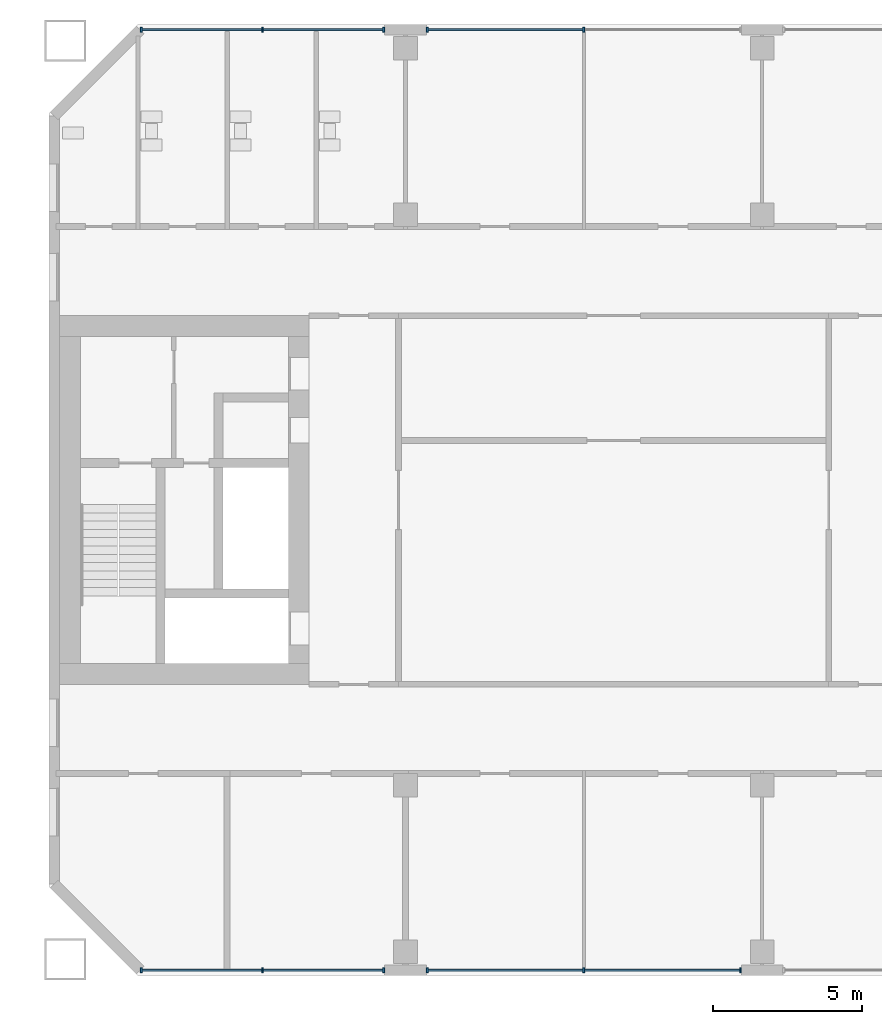
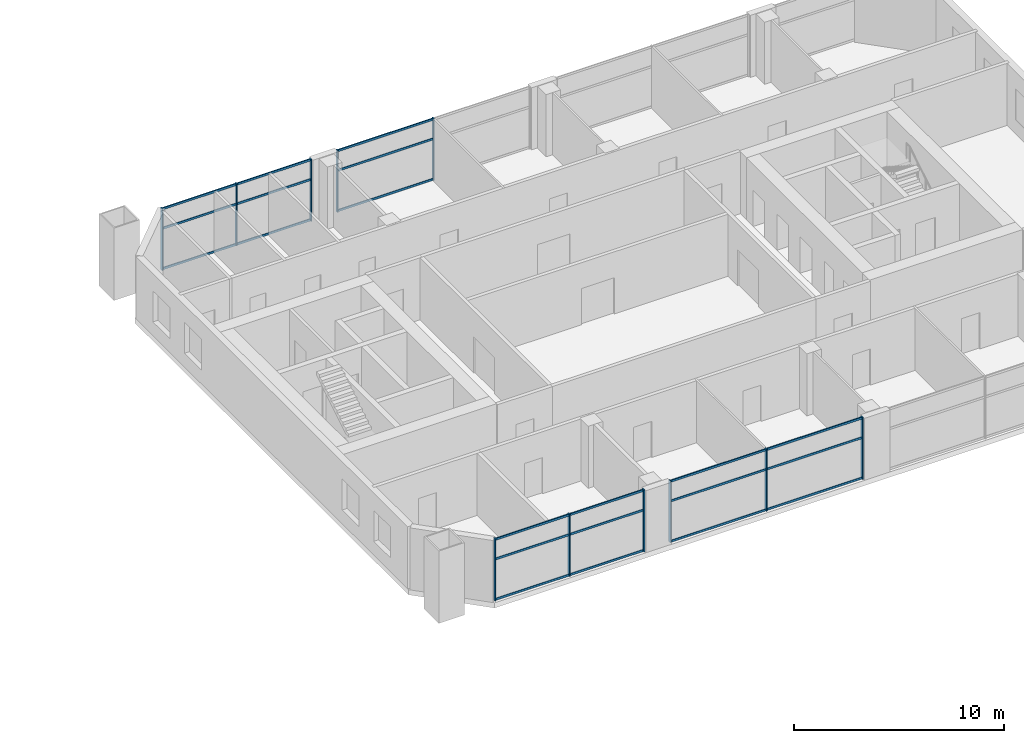
# One storey, part 5 of 19: 32 members, 4 elements without a shape of their own.
"""IFC4 building model written with IfcOpenShell, lengths in metres."""

from ifc_helpers import new_model, si_unit, direction, frame, origin, origin_2d, place, context, subcontext, project, spatial, rectangle, extrude, material, material_profile, profile_set, type_object, element, aggregate, save


model = new_model("IFC4")

# Units and contexts
model_context = context("Model", 3, precision=1e-05, world=origin(), true_north=direction((0.0, 1.0)))
body_context = subcontext(model_context, "Body", "Model", "MODEL_VIEW")
ifc_project = project(units=[si_unit("LENGTHUNIT", "METRE"), si_unit("AREAUNIT", "SQUARE_METRE"), si_unit("VOLUMEUNIT", "CUBIC_METRE"), si_unit("PLANEANGLEUNIT", "RADIAN"), si_unit("MASSUNIT", "GRAM", prefix="KILO")], contexts=[model_context])

# Site, building, storey
site_placement = place(None, origin())
site = spatial("IfcSite", under=ifc_project, at=site_placement, CompositionType="ELEMENT")
building_placement = place(site_placement, origin())
building = spatial("IfcBuilding", under=site, at=building_placement, Name="Tuart Gate Housing", CompositionType="ELEMENT")
storey_placement = place(building_placement, frame((0.0, 0.0, 67.39990234375)))
storey = spatial("IfcBuildingStorey", under=building, at=storey_placement, Name="L18", CompositionType="ELEMENT", Elevation=67.39990234375)

# Curtain wall, members
ifc_material_1 = material(Name="Aluminium and clear glass", Category="aluminium")
curtain_wall_type = type_object("IfcCurtainWallType", Name="Community floor glazing", PredefinedType="USERDEFINED", material=ifc_material_1)
curtain_wall_1_placement = place(storey_placement, origin())
curtain_wall_1 = element("IfcCurtainWall", 1, at=curtain_wall_1_placement, inside=storey, type_object=curtain_wall_type, Name="Community floor glazing B-S L18", ObjectType="COMMUNITY FLOOR GLAZING", PredefinedType="USERDEFINED")
ifc_material_2 = material(Name="Anodised aluminium", Category="aluminium")
ifc_material_profile_1 = material_profile(ifc_material_2, rectangle(XDim=0.06005859375, YDim=0.159912109375, at=origin_2d()), Name="60x160")
ifc_profile_set_1 = profile_set([ifc_material_profile_1], Name="Anodised aluminium")
member_type_1 = type_object("IfcMemberType", Name="Mullion 60 x 160", PredefinedType="MULLION", material=ifc_profile_set_1)
member_1_placement = place(storey_placement, frame((134.1044921875, 54.179931640625, 0.0), z_axis=(0.0, 0.0, 1.0), x_axis=(1.0, 0.0, 0.0)))
member_1 = element("IfcMember", 2, at=member_1_placement, type_object=member_type_1, Name="CW3 mullion 1", PredefinedType="MULLION", context=body_context, shape_type="SweptSolid", body=[
    extrude(rectangle(XDim=0.06005859375, YDim=0.159912109375, at=origin_2d()), origin(), (0.0, 0.0, 1.0), 3.60009765625),
])
member_2_placement = place(storey_placement, frame((138.187255859375, 54.179931640625, 0.0), z_axis=(0.0, 0.0, 1.0), x_axis=(1.0, 0.0, 0.0)))
member_2 = element("IfcMember", 3, at=member_2_placement, type_object=member_type_1, Name="CW3 mullion 2", PredefinedType="MULLION", context=body_context, shape_type="SweptSolid", body=[
    extrude(rectangle(XDim=0.06005859375, YDim=0.159912109375, at=origin_2d()), origin(), (0.0, 0.0, 1.0), 3.60009765625),
])
member_3_placement = place(storey_placement, frame((142.27001953125, 54.179931640625, 0.0), z_axis=(0.0, 0.0, 1.0), x_axis=(1.0, 0.0, 0.0)))
member_3 = element("IfcMember", 4, at=member_3_placement, type_object=member_type_1, Name="CW3 mullion 3", PredefinedType="MULLION", context=body_context, shape_type="SweptSolid", body=[
    extrude(rectangle(XDim=0.06005859375, YDim=0.159912109375, at=origin_2d()), origin(), (0.0, 0.0, 1.0), 3.60009765625),
])

curtain_wall_2_placement = place(storey_placement, origin())
curtain_wall_2 = element("IfcCurtainWall", 5, at=curtain_wall_2_placement, inside=storey, type_object=curtain_wall_type, Name="Community floor glazing B-S L18", ObjectType="COMMUNITY FLOOR GLAZING", PredefinedType="USERDEFINED")
member_4_placement = place(storey_placement, frame((143.72998046875, 54.179931640625, 0.0), z_axis=(0.0, 0.0, 1.0), x_axis=(1.0, 0.0, 0.0)))
member_4 = element("IfcMember", 6, at=member_4_placement, type_object=member_type_1, Name="CW3 mullion 1", PredefinedType="MULLION", context=body_context, shape_type="SweptSolid", body=[
    extrude(rectangle(XDim=0.06005859375, YDim=0.159912109375, at=origin_2d()), origin(), (0.0, 0.0, 1.0), 3.60009765625),
])
member_5_placement = place(storey_placement, frame((149.0, 54.179931640625, 0.0), z_axis=(0.0, 0.0, 1.0), x_axis=(1.0, 0.0, 0.0)))
member_5 = element("IfcMember", 7, at=member_5_placement, type_object=member_type_1, Name="CW3 mullion 2", PredefinedType="MULLION", context=body_context, shape_type="SweptSolid", body=[
    extrude(rectangle(XDim=0.06005859375, YDim=0.159912109375, at=origin_2d()), origin(), (0.0, 0.0, 1.0), 3.60009765625),
])
member_6_placement = place(storey_placement, frame((154.27001953125, 54.179931640625, 0.0), z_axis=(0.0, 0.0, 1.0), x_axis=(1.0, 0.0, 0.0)))
member_6 = element("IfcMember", 8, at=member_6_placement, type_object=member_type_1, Name="CW3 mullion 3", PredefinedType="MULLION", context=body_context, shape_type="SweptSolid", body=[
    extrude(rectangle(XDim=0.06005859375, YDim=0.159912109375, at=origin_2d()), origin(), (0.0, 0.0, 1.0), 3.60009765625),
])

curtain_wall_3_placement = place(storey_placement, origin())
curtain_wall_3 = element("IfcCurtainWall", 9, at=curtain_wall_3_placement, inside=storey, type_object=curtain_wall_type, Name="Community floor glazing B-N L18", ObjectType="COMMUNITY FLOOR GLAZING", PredefinedType="USERDEFINED")
member_7_placement = place(storey_placement, frame((149.0, 85.820068359375, 0.0), z_axis=(0.0, 0.0, 1.0), x_axis=(-1.0, 0.0, 0.0)))
member_7 = element("IfcMember", 10, at=member_7_placement, type_object=member_type_1, Name="CW3 mullion 2", PredefinedType="MULLION", context=body_context, shape_type="SweptSolid", body=[
    extrude(rectangle(XDim=0.06005859375, YDim=0.159912109375, at=origin_2d()), origin(), (0.0, 0.0, 1.0), 3.60009765625),
])
member_8_placement = place(storey_placement, frame((143.72998046875, 85.820068359375, 0.0), z_axis=(0.0, 0.0, 1.0), x_axis=(-1.0, 0.0, 0.0)))
member_8 = element("IfcMember", 11, at=member_8_placement, type_object=member_type_1, Name="CW3 mullion 3", PredefinedType="MULLION", context=body_context, shape_type="SweptSolid", body=[
    extrude(rectangle(XDim=0.06005859375, YDim=0.159912109375, at=origin_2d()), origin(), (0.0, 0.0, 1.0), 3.60009765625),
])

curtain_wall_4_placement = place(storey_placement, origin())
curtain_wall_4 = element("IfcCurtainWall", 12, at=curtain_wall_4_placement, inside=storey, type_object=curtain_wall_type, Name="Community floor glazing B-N L18", ObjectType="COMMUNITY FLOOR GLAZING", PredefinedType="USERDEFINED")
member_9_placement = place(storey_placement, frame((142.27001953125, 85.820068359375, 0.0), z_axis=(0.0, 0.0, 1.0), x_axis=(-1.0, 0.0, 0.0)))
member_9 = element("IfcMember", 13, at=member_9_placement, type_object=member_type_1, Name="CW3 mullion 1", PredefinedType="MULLION", context=body_context, shape_type="SweptSolid", body=[
    extrude(rectangle(XDim=0.06005859375, YDim=0.159912109375, at=origin_2d()), origin(), (0.0, 0.0, 1.0), 3.60009765625),
])
member_10_placement = place(storey_placement, frame((138.187255859375, 85.820068359375, 0.0), z_axis=(0.0, 0.0, 1.0), x_axis=(-1.0, 0.0, 0.0)))
member_10 = element("IfcMember", 14, at=member_10_placement, type_object=member_type_1, Name="CW3 mullion 2", PredefinedType="MULLION", context=body_context, shape_type="SweptSolid", body=[
    extrude(rectangle(XDim=0.06005859375, YDim=0.159912109375, at=origin_2d()), origin(), (0.0, 0.0, 1.0), 3.60009765625),
])
member_11_placement = place(storey_placement, frame((134.1044921875, 85.820068359375, 0.0), z_axis=(0.0, 0.0, 1.0), x_axis=(-1.0, 0.0, 0.0)))
member_11 = element("IfcMember", 15, at=member_11_placement, type_object=member_type_1, Name="CW3 mullion 3", PredefinedType="MULLION", context=body_context, shape_type="SweptSolid", body=[
    extrude(rectangle(XDim=0.06005859375, YDim=0.159912109375, at=origin_2d()), origin(), (0.0, 0.0, 1.0), 3.60009765625),
])

# Member
ifc_material_3 = material(Name="Anodised aluminium", Category="aluminium")
ifc_material_profile_2 = material_profile(ifc_material_3, rectangle(XDim=0.06005859375, YDim=0.1201171875, at=origin_2d()), Name="60x120")
ifc_profile_set_2 = profile_set([ifc_material_profile_2], Name="Anodised aluminium")
member_type_2 = type_object("IfcMemberType", Name="Transom 60 x 120", PredefinedType="USERDEFINED", material=ifc_profile_set_2)
member_12_placement = place(storey_placement, frame((134.134521484375, 54.179931640625, 0.06005859375), z_axis=(1.0, 0.0, 0.0), x_axis=(0.0, 1.0, 0.0)))
member_12 = element("IfcMember", 16, at=member_12_placement, type_object=member_type_2, Name="CW3 transom 1.1", ObjectType="TRANSOM", PredefinedType="USERDEFINED", context=body_context, shape_type="SweptSolid", body=[
    extrude(rectangle(XDim=0.06005859375, YDim=0.1201171875, at=origin_2d()), origin(), (0.0, 0.0, 1.0), 4.022705078125),
])

member_13_placement = place(storey_placement, frame((134.134521484375, 54.179931640625, 2.400146484375), z_axis=(1.0, 0.0, 0.0), x_axis=(0.0, 1.0, 0.0)))
member_13 = element("IfcMember", 17, at=member_13_placement, type_object=member_type_2, Name="CW3 transom 1.2", ObjectType="TRANSOM", PredefinedType="USERDEFINED", context=body_context, shape_type="SweptSolid", body=[
    extrude(rectangle(XDim=0.06005859375, YDim=0.1201171875, at=origin_2d()), origin(), (0.0, 0.0, 1.0), 4.022705078125),
])

member_14_placement = place(storey_placement, frame((134.134521484375, 54.179931640625, 3.5400390625), z_axis=(1.0, 0.0, 0.0), x_axis=(0.0, 1.0, 0.0)))
member_14 = element("IfcMember", 18, at=member_14_placement, type_object=member_type_2, Name="CW3 transom 1.3", ObjectType="TRANSOM", PredefinedType="USERDEFINED", context=body_context, shape_type="SweptSolid", body=[
    extrude(rectangle(XDim=0.06005859375, YDim=0.1201171875, at=origin_2d()), origin(), (0.0, 0.0, 1.0), 4.022705078125),
])

member_15_placement = place(storey_placement, frame((138.21728515625, 54.179931640625, 0.06005859375), z_axis=(1.0, 0.0, 0.0), x_axis=(0.0, 1.0, 0.0)))
member_15 = element("IfcMember", 19, at=member_15_placement, type_object=member_type_2, Name="CW3 transom 2.1", ObjectType="TRANSOM", PredefinedType="USERDEFINED", context=body_context, shape_type="SweptSolid", body=[
    extrude(rectangle(XDim=0.06005859375, YDim=0.1201171875, at=origin_2d()), origin(), (0.0, 0.0, 1.0), 4.022705078125),
])

member_16_placement = place(storey_placement, frame((138.21728515625, 54.179931640625, 2.400146484375), z_axis=(1.0, 0.0, 0.0), x_axis=(0.0, 1.0, 0.0)))
member_16 = element("IfcMember", 20, at=member_16_placement, type_object=member_type_2, Name="CW3 transom 2.2", ObjectType="TRANSOM", PredefinedType="USERDEFINED", context=body_context, shape_type="SweptSolid", body=[
    extrude(rectangle(XDim=0.06005859375, YDim=0.1201171875, at=origin_2d()), origin(), (0.0, 0.0, 1.0), 4.022705078125),
])

member_17_placement = place(storey_placement, frame((138.21728515625, 54.179931640625, 3.5400390625), z_axis=(1.0, 0.0, 0.0), x_axis=(0.0, 1.0, 0.0)))
member_17 = element("IfcMember", 21, at=member_17_placement, type_object=member_type_2, Name="CW3 transom 2.3", ObjectType="TRANSOM", PredefinedType="USERDEFINED", context=body_context, shape_type="SweptSolid", body=[
    extrude(rectangle(XDim=0.06005859375, YDim=0.1201171875, at=origin_2d()), origin(), (0.0, 0.0, 1.0), 4.022705078125),
])

aggregate(curtain_wall_1, [member_1, member_2, member_3, member_12, member_13, member_14, member_15, member_16, member_17])

member_18_placement = place(storey_placement, frame((143.760009765625, 54.179931640625, 0.06005859375), z_axis=(1.0, 0.0, 0.0), x_axis=(0.0, 1.0, 0.0)))
member_18 = element("IfcMember", 22, at=member_18_placement, type_object=member_type_2, Name="CW3 transom 1.1", ObjectType="TRANSOM", PredefinedType="USERDEFINED", context=body_context, shape_type="SweptSolid", body=[
    extrude(rectangle(XDim=0.06005859375, YDim=0.1201171875, at=origin_2d()), origin(), (0.0, 0.0, 1.0), 5.2099609375),
])

member_19_placement = place(storey_placement, frame((143.760009765625, 54.179931640625, 2.400146484375), z_axis=(1.0, 0.0, 0.0), x_axis=(0.0, 1.0, 0.0)))
member_19 = element("IfcMember", 23, at=member_19_placement, type_object=member_type_2, Name="CW3 transom 1.2", ObjectType="TRANSOM", PredefinedType="USERDEFINED", context=body_context, shape_type="SweptSolid", body=[
    extrude(rectangle(XDim=0.06005859375, YDim=0.1201171875, at=origin_2d()), origin(), (0.0, 0.0, 1.0), 5.2099609375),
])

member_20_placement = place(storey_placement, frame((143.760009765625, 54.179931640625, 3.5400390625), z_axis=(1.0, 0.0, 0.0), x_axis=(0.0, 1.0, 0.0)))
member_20 = element("IfcMember", 24, at=member_20_placement, type_object=member_type_2, Name="CW3 transom 1.3", ObjectType="TRANSOM", PredefinedType="USERDEFINED", context=body_context, shape_type="SweptSolid", body=[
    extrude(rectangle(XDim=0.06005859375, YDim=0.1201171875, at=origin_2d()), origin(), (0.0, 0.0, 1.0), 5.2099609375),
])

member_21_placement = place(storey_placement, frame((149.030029296875, 54.179931640625, 0.06005859375), z_axis=(1.0, 0.0, 0.0), x_axis=(0.0, 1.0, 0.0)))
member_21 = element("IfcMember", 25, at=member_21_placement, type_object=member_type_2, Name="CW3 transom 2.1", ObjectType="TRANSOM", PredefinedType="USERDEFINED", context=body_context, shape_type="SweptSolid", body=[
    extrude(rectangle(XDim=0.06005859375, YDim=0.1201171875, at=origin_2d()), origin(), (0.0, 0.0, 1.0), 5.2099609375),
])

member_22_placement = place(storey_placement, frame((149.030029296875, 54.179931640625, 2.400146484375), z_axis=(1.0, 0.0, 0.0), x_axis=(0.0, 1.0, 0.0)))
member_22 = element("IfcMember", 26, at=member_22_placement, type_object=member_type_2, Name="CW3 transom 2.2", ObjectType="TRANSOM", PredefinedType="USERDEFINED", context=body_context, shape_type="SweptSolid", body=[
    extrude(rectangle(XDim=0.06005859375, YDim=0.1201171875, at=origin_2d()), origin(), (0.0, 0.0, 1.0), 5.2099609375),
])

member_23_placement = place(storey_placement, frame((149.030029296875, 54.179931640625, 3.5400390625), z_axis=(1.0, 0.0, 0.0), x_axis=(0.0, 1.0, 0.0)))
member_23 = element("IfcMember", 27, at=member_23_placement, type_object=member_type_2, Name="CW3 transom 2.3", ObjectType="TRANSOM", PredefinedType="USERDEFINED", context=body_context, shape_type="SweptSolid", body=[
    extrude(rectangle(XDim=0.06005859375, YDim=0.1201171875, at=origin_2d()), origin(), (0.0, 0.0, 1.0), 5.2099609375),
])

aggregate(curtain_wall_2, [member_4, member_5, member_6, member_18, member_19, member_20, member_21, member_22, member_23])

member_24_placement = place(storey_placement, frame((148.969970703125, 85.820068359375, 0.06005859375), z_axis=(-1.0, 0.0, 0.0), x_axis=(0.0, -1.0, 0.0)))
member_24 = element("IfcMember", 28, at=member_24_placement, type_object=member_type_2, Name="CW3 transom 2.1", ObjectType="TRANSOM", PredefinedType="USERDEFINED", context=body_context, shape_type="SweptSolid", body=[
    extrude(rectangle(XDim=0.06005859375, YDim=0.1201171875, at=origin_2d()), origin(), (0.0, 0.0, 1.0), 5.2099609375),
])

member_25_placement = place(storey_placement, frame((148.969970703125, 85.820068359375, 2.400146484375), z_axis=(-1.0, 0.0, 0.0), x_axis=(0.0, -1.0, 0.0)))
member_25 = element("IfcMember", 29, at=member_25_placement, type_object=member_type_2, Name="CW3 transom 2.2", ObjectType="TRANSOM", PredefinedType="USERDEFINED", context=body_context, shape_type="SweptSolid", body=[
    extrude(rectangle(XDim=0.06005859375, YDim=0.1201171875, at=origin_2d()), origin(), (0.0, 0.0, 1.0), 5.2099609375),
])

member_26_placement = place(storey_placement, frame((148.969970703125, 85.820068359375, 3.5400390625), z_axis=(-1.0, 0.0, 0.0), x_axis=(0.0, -1.0, 0.0)))
member_26 = element("IfcMember", 30, at=member_26_placement, type_object=member_type_2, Name="CW3 transom 2.3", ObjectType="TRANSOM", PredefinedType="USERDEFINED", context=body_context, shape_type="SweptSolid", body=[
    extrude(rectangle(XDim=0.06005859375, YDim=0.1201171875, at=origin_2d()), origin(), (0.0, 0.0, 1.0), 5.2099609375),
])

aggregate(curtain_wall_3, [member_7, member_8, member_24, member_25, member_26])

member_27_placement = place(storey_placement, frame((142.239990234375, 85.820068359375, 0.06005859375), z_axis=(-1.0, 0.0, 0.0), x_axis=(0.0, -1.0, 0.0)))
member_27 = element("IfcMember", 31, at=member_27_placement, type_object=member_type_2, Name="CW3 transom 1.1", ObjectType="TRANSOM", PredefinedType="USERDEFINED", context=body_context, shape_type="SweptSolid", body=[
    extrude(rectangle(XDim=0.06005859375, YDim=0.1201171875, at=origin_2d()), origin(), (0.0, 0.0, 1.0), 4.022705078125),
])

member_28_placement = place(storey_placement, frame((142.239990234375, 85.820068359375, 2.400146484375), z_axis=(-1.0, 0.0, 0.0), x_axis=(0.0, -1.0, 0.0)))
member_28 = element("IfcMember", 32, at=member_28_placement, type_object=member_type_2, Name="CW3 transom 1.2", ObjectType="TRANSOM", PredefinedType="USERDEFINED", context=body_context, shape_type="SweptSolid", body=[
    extrude(rectangle(XDim=0.06005859375, YDim=0.1201171875, at=origin_2d()), origin(), (0.0, 0.0, 1.0), 4.022705078125),
])

member_29_placement = place(storey_placement, frame((142.239990234375, 85.820068359375, 3.5400390625), z_axis=(-1.0, 0.0, 0.0), x_axis=(0.0, -1.0, 0.0)))
member_29 = element("IfcMember", 33, at=member_29_placement, type_object=member_type_2, Name="CW3 transom 1.3", ObjectType="TRANSOM", PredefinedType="USERDEFINED", context=body_context, shape_type="SweptSolid", body=[
    extrude(rectangle(XDim=0.06005859375, YDim=0.1201171875, at=origin_2d()), origin(), (0.0, 0.0, 1.0), 4.022705078125),
])

member_30_placement = place(storey_placement, frame((138.1572265625, 85.820068359375, 0.06005859375), z_axis=(-1.0, 0.0, 0.0), x_axis=(0.0, -1.0, 0.0)))
member_30 = element("IfcMember", 34, at=member_30_placement, type_object=member_type_2, Name="CW3 transom 2.1", ObjectType="TRANSOM", PredefinedType="USERDEFINED", context=body_context, shape_type="SweptSolid", body=[
    extrude(rectangle(XDim=0.06005859375, YDim=0.1201171875, at=origin_2d()), origin(), (0.0, 0.0, 1.0), 4.022705078125),
])

member_31_placement = place(storey_placement, frame((138.1572265625, 85.820068359375, 2.400146484375), z_axis=(-1.0, 0.0, 0.0), x_axis=(0.0, -1.0, 0.0)))
member_31 = element("IfcMember", 35, at=member_31_placement, type_object=member_type_2, Name="CW3 transom 2.2", ObjectType="TRANSOM", PredefinedType="USERDEFINED", context=body_context, shape_type="SweptSolid", body=[
    extrude(rectangle(XDim=0.06005859375, YDim=0.1201171875, at=origin_2d()), origin(), (0.0, 0.0, 1.0), 4.022705078125),
])

member_32_placement = place(storey_placement, frame((138.1572265625, 85.820068359375, 3.5400390625), z_axis=(-1.0, 0.0, 0.0), x_axis=(0.0, -1.0, 0.0)))
member_32 = element("IfcMember", 36, at=member_32_placement, type_object=member_type_2, Name="CW3 transom 2.3", ObjectType="TRANSOM", PredefinedType="USERDEFINED", context=body_context, shape_type="SweptSolid", body=[
    extrude(rectangle(XDim=0.06005859375, YDim=0.1201171875, at=origin_2d()), origin(), (0.0, 0.0, 1.0), 4.022705078125),
])

aggregate(curtain_wall_4, [member_9, member_10, member_11, member_27, member_28, member_29, member_30, member_31, member_32])

save(model, "model.ifc")
